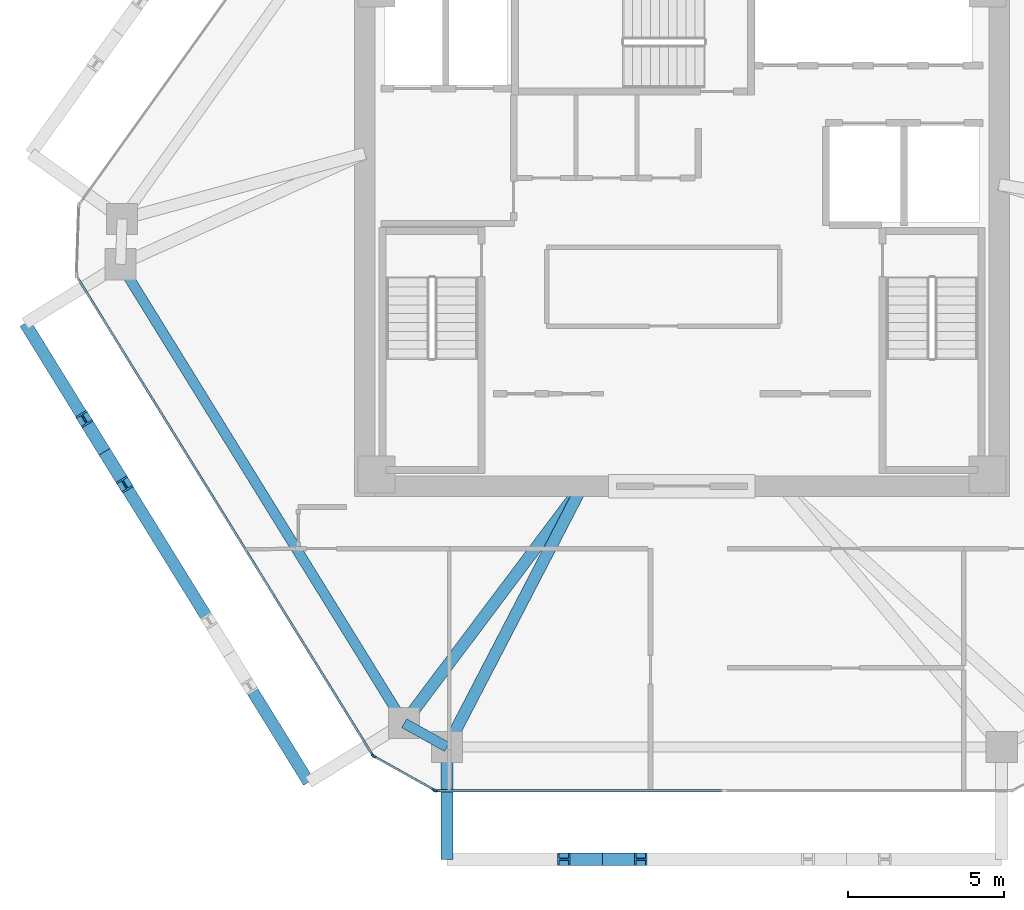
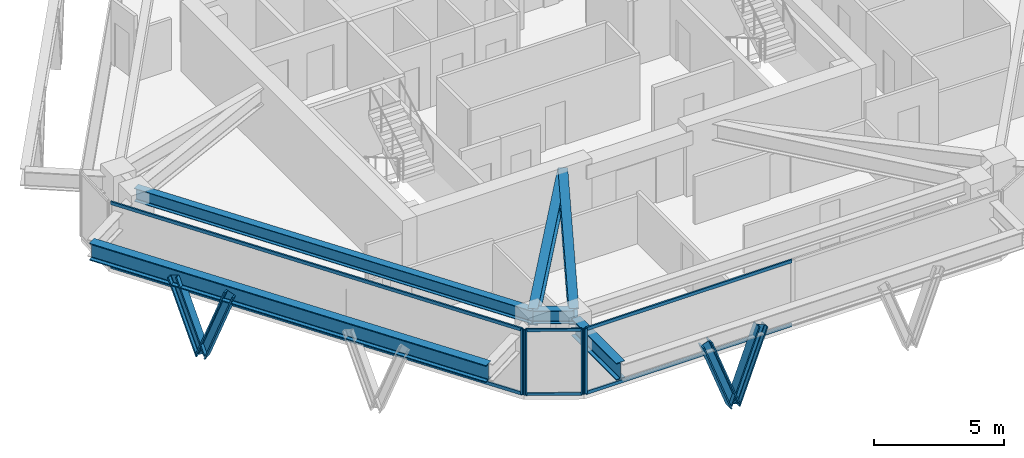
# One storey, part 2 of 11: 14 members, 6 beams, 3 elements without a shape of their own.
"""IFC4 building model written with IfcOpenShell, lengths in metres."""

import ifcopenshell
import ifcopenshell.guid

model = None  # the IFC model being written
_history = None  # IfcOwnerHistory: only IFC2X3 demands one
_inside = {}  # id of a spatial element -> (the spatial element, [elements in it])
_under = {}  # id of a project, library or spatial element -> (it, [spatial elements below it])
_declared = {}  # id of a project -> (the project, [libraries it declares])
_typed = {}  # id of a type object -> (the type object, [elements of that type])
_made_of = {}  # id of a material, layer set ... -> (it, [elements and type objects made of it])


def new_model(schema):
    """Start an empty IFC model of exactly this schema.

    Asked for "IFC4X3", IfcOpenShell would pick the latest addendum, in which some entities
    have other attributes; the version numbers below select the first issue.
    IFC2X3 requires an IfcOwnerHistory on every rooted entity: one is made here for all.
    """
    global model, _history
    if schema == "IFC4X3":
        model = ifcopenshell.file(schema_version=(4, 3, 0, 0))
    else:
        model = ifcopenshell.file(schema=schema)
    _inside.clear()
    _under.clear()
    _declared.clear()
    _typed.clear()
    _made_of.clear()
    _history = None
    if model.schema == "IFC2X3":
        org = make("IfcOrganization", Name="unknown")
        user = make(
            "IfcPersonAndOrganization",
            ThePerson=make("IfcPerson", FamilyName="unknown"),
            TheOrganization=org,
        )
        app = make(
            "IfcApplication",
            ApplicationDeveloper=org,
            Version="unknown",
            ApplicationFullName="unknown",
            ApplicationIdentifier="unknown",
        )
        _history = make(
            "IfcOwnerHistory",
            OwningUser=user,
            OwningApplication=app,
            ChangeAction="ADDED",
            CreationDate=0,
        )
    return model


def make(cls, **values):
    """One entity of the class cls with the attributes given. An attribute that is None is left unset."""
    return model.create_entity(
        cls, **{name: value for name, value in values.items() if value is not None}
    )


def rooted(cls, **values):
    """An entity with a GlobalId (a new one), such as an element, a storey or a relation."""
    return make(cls, GlobalId=ifcopenshell.guid.new(), OwnerHistory=_history, **values)


def si_unit(unit_type, name, prefix=None):
    """IfcSIUnit, for example si_unit("LENGTHUNIT", "METRE", prefix="MILLI")."""
    return make("IfcSIUnit", UnitType=unit_type, Prefix=prefix, Name=name)


def assignment(units):
    """IfcUnitAssignment: the units of a project."""
    return None if units is None else make("IfcUnitAssignment", Units=units)


def point(xyz):
    """IfcCartesianPoint."""
    return None if xyz is None else make("IfcCartesianPoint", Coordinates=xyz)


def direction(xyz):
    """IfcDirection."""
    return None if xyz is None else make("IfcDirection", DirectionRatios=xyz)


def frame(location, z_axis=None, x_axis=None):
    """IfcAxis2Placement3D, a coordinate frame: its origin and axes. An axis left out is left unset."""
    return make(
        "IfcAxis2Placement3D",
        Location=point(location),
        Axis=direction(z_axis),
        RefDirection=direction(x_axis),
    )


def frame_2d(location, x_axis=None):
    """IfcAxis2Placement2D, a coordinate frame in the plane: its origin and x axis."""
    return make(
        "IfcAxis2Placement2D", Location=point(location), RefDirection=direction(x_axis)
    )


def origin():
    """The frame at (0, 0, 0) with its axes left unset."""
    return frame((0.0, 0.0, 0.0))


def origin_2d():
    """The frame at (0, 0) in the plane with its x axis left unset."""
    return frame_2d((0.0, 0.0))


def place(relative_to, where):
    """IfcLocalPlacement: puts the frame where relative to a parent placement (None: the world)."""
    return make(
        "IfcLocalPlacement", PlacementRelTo=relative_to, RelativePlacement=where
    )


def context(
    kind, dimensions, precision=None, world=None, true_north=None, identifier=None
):
    """IfcGeometricRepresentationContext, for example the 3D "Model" context."""
    return make(
        "IfcGeometricRepresentationContext",
        ContextIdentifier=identifier,
        ContextType=kind,
        CoordinateSpaceDimension=dimensions,
        Precision=precision,
        WorldCoordinateSystem=world,
        TrueNorth=true_north,
    )


def subcontext(parent, identifier, kind, view, scale=None):
    """IfcGeometricRepresentationSubContext, for example "Body" below "Model"."""
    return make(
        "IfcGeometricRepresentationSubContext",
        ContextIdentifier=identifier,
        ContextType=kind,
        ParentContext=parent,
        TargetScale=scale,
        TargetView=view,
    )


def project(units=None, contexts=None):
    """IfcProject with its units and contexts."""
    return rooted(
        "IfcProject",
        Name="project",
        RepresentationContexts=contexts,
        UnitsInContext=assignment(units),
    )


def spatial(cls, under=None, at=None, **own):
    """A site, building, storey or space (cls), placed at a placement, below another one or the project."""
    s = rooted(cls, ObjectPlacement=at, **own)
    if under is not None:
        _under.setdefault(under.id(), (under, []))[1].append(s)
    return s


def profile(cls, at=None, kind="AREA", **sizes):
    """A parametric profile (cls). Its sizes go by their IFC names, for example OverallWidth=200.0."""
    return make(cls, ProfileType=kind, Position=at, **sizes)


def rectangle(**sizes):
    """IfcRectangleProfileDef."""
    return profile("IfcRectangleProfileDef", **sizes)


def i_section(**sizes):
    """IfcIShapeProfileDef."""
    return profile("IfcIShapeProfileDef", **sizes)


def extrude(swept, where, along, depth):
    """IfcExtrudedAreaSolid: the profile swept, set in the frame where, extruded along a direction by depth."""
    return make(
        "IfcExtrudedAreaSolid",
        SweptArea=swept,
        Position=where,
        ExtrudedDirection=direction(along),
        Depth=depth,
    )


def shape(context_of_items, identifier, shape_type, items):
    """IfcShapeRepresentation: the items that make up one representation, for example the "Body"."""
    return make(
        "IfcShapeRepresentation",
        ContextOfItems=context_of_items,
        RepresentationIdentifier=identifier,
        RepresentationType=shape_type,
        Items=items,
    )


def source(mapping_origin, context_of_items, identifier, shape_type, items):
    """IfcRepresentationMap: a shape defined once, which mapped items show again and again."""
    return make(
        "IfcRepresentationMap",
        MappingOrigin=mapping_origin,
        MappedRepresentation=shape(context_of_items, identifier, shape_type, items),
    )


def transform(
    local_origin,
    x_axis=None,
    y_axis=None,
    z_axis=None,
    scale=None,
    scale2=None,
    scale3=None,
    uniform=True,
):
    """IfcCartesianTransformationOperator3D, or its non-uniform kind. x_axis, y_axis, z_axis: its Axis1, 2, 3."""
    if uniform:
        return make(
            "IfcCartesianTransformationOperator3D",
            Axis1=direction(x_axis),
            Axis2=direction(y_axis),
            LocalOrigin=point(local_origin),
            Scale=scale,
            Axis3=direction(z_axis),
        )
    return make(
        "IfcCartesianTransformationOperator3DnonUniform",
        Axis1=direction(x_axis),
        Axis2=direction(y_axis),
        LocalOrigin=point(local_origin),
        Scale=scale,
        Axis3=direction(z_axis),
        Scale2=scale2,
        Scale3=scale3,
    )


def mapped(mapping_source, mapping_target):
    """IfcMappedItem: shows the shape of a source again, moved by a transform."""
    return make(
        "IfcMappedItem", MappingSource=mapping_source, MappingTarget=mapping_target
    )


def material(Name=None, Category=None):
    """IfcMaterial."""
    return make("IfcMaterial", Name=Name, Category=Category)


def layer(
    of_material, thickness, ventilated=None, Name=None, Category=None, Priority=None
):
    """IfcMaterialLayer: one layer of a wall or slab, of a material (None: an air gap)."""
    return make(
        "IfcMaterialLayer",
        Material=of_material,
        LayerThickness=thickness,
        IsVentilated=ventilated,
        Name=Name,
        Category=Category,
        Priority=Priority,
    )


def layer_set(layers, Name=None):
    """IfcMaterialLayerSet."""
    return make("IfcMaterialLayerSet", MaterialLayers=layers, LayerSetName=Name)


def material_profile(
    of_material, cross_section, Name=None, Category=None, Priority=None
):
    """IfcMaterialProfile: a cross section and its material."""
    return make(
        "IfcMaterialProfile",
        Name=Name,
        Material=of_material,
        Profile=cross_section,
        Priority=Priority,
        Category=Category,
    )


def profile_set(profiles, Name=None, composite=None):
    """IfcMaterialProfileSet."""
    return make(
        "IfcMaterialProfileSet",
        Name=Name,
        MaterialProfiles=profiles,
        CompositeProfile=composite,
    )


def made_of(thing, what):
    """Note that an element or type object is made of a material, layer set ...; save() writes the relation."""
    if what is not None:
        _made_of.setdefault(what.id(), (what, []))[1].append(thing)
    return thing


def type_object(cls, material=None, **own):
    """A type object (cls), such as IfcWallType, which elements share."""
    return made_of(rooted(cls, **own), material)


def type_shapes(of_type, sources):
    """Give a type object the sources (RepresentationMaps) that its elements show as mapped items."""
    of_type.RepresentationMaps = sources


def element(
    cls,
    number,
    at=None,
    inside=None,
    cuts=None,
    type_object=None,
    material=None,
    context=None,
    identifier="Body",
    shape_type=None,
    held_by="IfcProductDefinitionShape",
    body=None,
    shapes=None,
    **own,
):
    """One element of the class cls, such as IfcWall. Its Tag is "e" and its number.

    at: its placement. inside: the storey or other place that contains it. cuts: it is an
    opening in that element (IfcRelVoidsElement). A single representation is given by context,
    identifier, shape_type and body (its items); several are given by shapes. held_by: the class
    of the entity that holds the representations. save() writes the other relations.
    """
    e = rooted(cls, Tag="e%d" % number, ObjectPlacement=at, **own)
    if body is not None:
        shapes = [shape(context, identifier, shape_type, body)]
    if shapes is not None:
        e.Representation = make(held_by, Representations=shapes)
    if inside is not None:
        _inside.setdefault(inside.id(), (inside, []))[1].append(e)
    if cuts is not None:
        rooted(
            "IfcRelVoidsElement", RelatingBuildingElement=cuts, RelatedOpeningElement=e
        )
    if type_object is not None:
        _typed.setdefault(type_object.id(), (type_object, []))[1].append(e)
    return made_of(e, material)


def aggregate(whole, parts):
    """IfcRelAggregates: a whole, such as a stair, and the parts it consists of."""
    return rooted("IfcRelAggregates", RelatingObject=whole, RelatedObjects=parts)


def save(model, path):
    """Write the relations noted so far, then the file.

    IfcRelAggregates (storeys below a building ...), IfcRelContainedInSpatialStructure (elements
    in a storey), IfcRelDefinesByType, IfcRelAssociatesMaterial and IfcRelDeclares: one each for
    every whole, place, type object, material and project.
    """
    for whole, parts in _under.values():
        aggregate(whole, parts)
    for where, things in _inside.values():
        rooted(
            "IfcRelContainedInSpatialStructure",
            RelatedElements=things,
            RelatingStructure=where,
        )
    for kind, things in _typed.values():
        rooted("IfcRelDefinesByType", RelatedObjects=things, RelatingType=kind)
    for what, things in _made_of.values():
        rooted("IfcRelAssociatesMaterial", RelatedObjects=things, RelatingMaterial=what)
    for by, libraries in _declared.values():
        rooted("IfcRelDeclares", RelatingContext=by, RelatedDefinitions=libraries)
    model.write(path)


model = new_model("IFC4")

# Units and contexts
model_context = context("Model", 3, precision=1e-05, world=origin(), true_north=direction((0.0, 1.0)))
body_context = subcontext(model_context, "Body", "Model", "MODEL_VIEW")
ifc_project = project(units=[si_unit("LENGTHUNIT", "METRE"), si_unit("AREAUNIT", "SQUARE_METRE"), si_unit("VOLUMEUNIT", "CUBIC_METRE"), si_unit("PLANEANGLEUNIT", "RADIAN"), si_unit("MASSUNIT", "GRAM", prefix="KILO")], contexts=[model_context])

# Site, building, storey
site_placement = place(None, origin())
site = spatial("IfcSite", under=ifc_project, at=site_placement, CompositionType="ELEMENT")
building_placement = place(site_placement, origin())
building = spatial("IfcBuilding", under=site, at=building_placement, Name="Durnholm Broadcast Tower", CompositionType="ELEMENT")
storey_placement = place(building_placement, frame((0.0, 0.0, 190.300048828125)))
storey = spatial("IfcBuildingStorey", under=building, at=storey_placement, Name="L52", CompositionType="ELEMENT", Elevation=190.300048828125)

# Beams
ifc_material_1 = material(Name="Steel ASTM A992 Grade 50", Category="steel")
ifc_material_profile_1 = material_profile(ifc_material_1, i_section(OverallWidth=0.385009765625, OverallDepth=0.802978515625, WebThickness=0.023681640625, FlangeThickness=0.0419921875, FilletRadius=0.032958984375, at=origin_2d()), Name="W30X261")
ifc_profile_set_1 = profile_set([ifc_material_profile_1], Name="Steel ASTM A992 Grade 50")
beam_type_1 = type_object("IfcBeamType", Name="BM-EXO-TIE", PredefinedType="USERDEFINED", material=ifc_profile_set_1)
shared_shape_1 = source(origin(), body_context, "Body", "SweptSolid", [
    extrude(i_section(OverallWidth=0.385009765625, OverallDepth=0.802978515625, WebThickness=0.023681640625, FlangeThickness=0.0419921875, FilletRadius=0.032958984375, at=origin_2d()), origin(), (0.0, 0.0, 1.0), 3.4560546875),
])
beam_1_placement = place(storey_placement, frame((-7.53955078125, -16.68603515625, 2.30859375), z_axis=(0.0, -1.0, 0.0), x_axis=(1.0, 0.0, 0.0)))
element("IfcBeam", 1, at=beam_1_placement, inside=storey, type_object=beam_type_1, Name="L52 exoskeleton stand-off tie bracket F1.1", ObjectType="GIRDER", PredefinedType="USERDEFINED", context=body_context, shape_type="MappedRepresentation", body=[
    mapped(shared_shape_1, transform((0.0, 0.0, 0.0), x_axis=(1.0, 0.0, 0.0), y_axis=(0.0, 1.0, 0.0), z_axis=(0.0, 0.0, 1.0), scale=1.0)),
])
ifc_material_profile_2 = material_profile(ifc_material_1, i_section(OverallWidth=0.3251953125, OverallDepth=0.6162109375, WebThickness=0.013916015625, FlangeThickness=0.021484375, FilletRadius=0.02783203125, at=origin_2d()), Name="W24X117")
ifc_profile_set_2 = profile_set([ifc_material_profile_2], Name="Steel ASTM A992 Grade 50")
beam_type_2 = type_object("IfcBeamType", Name="STL-SP-W24X117", PredefinedType="SPANDREL", material=ifc_profile_set_2)
shared_shape_2 = source(origin(), body_context, "Body", "SweptSolid", [
    extrude(i_section(OverallWidth=0.3251953125, OverallDepth=0.6162109375, WebThickness=0.013916015625, FlangeThickness=0.021484375, FilletRadius=0.02783203125, at=origin_2d()), origin(), (0.0, 0.0, 1.0), 17.3037109375),
])
beam_2_placement = place(storey_placement, frame((-8.91259765625, -15.7763671875, 2.73681640625), z_axis=(-0.525695324718, 0.850672925142, 0.0), x_axis=(-0.850672925142, -0.525695324718, 0.0)))
element("IfcBeam", 2, at=beam_2_placement, inside=storey, type_object=beam_type_2, Name="L52 perimeter spandrel girder 01", PredefinedType="SPANDREL", context=body_context, shape_type="MappedRepresentation", body=[
    mapped(shared_shape_2, transform((0.0, 0.0, 0.0), x_axis=(1.0, 0.0, 0.0), y_axis=(0.0, 1.0, 0.0), z_axis=(0.0, 0.0, 1.0), scale=1.0)),
])
shared_shape_3 = source(origin(), body_context, "Body", "SweptSolid", [
    extrude(i_section(OverallWidth=0.3251953125, OverallDepth=0.6162109375, WebThickness=0.013916015625, FlangeThickness=0.021484375, FilletRadius=0.02783203125, at=origin_2d()), origin(), (0.0, 0.0, 1.0), 1.572021484375),
])
type_shapes(beam_type_2, [shared_shape_2, shared_shape_3])
beam_3_placement = place(storey_placement, frame((-7.53955078125, -16.5419921875, 2.73681640625), z_axis=(-0.873394362663, 0.487013641769, 0.0), x_axis=(-0.487013641769, -0.873394362663, 0.0)))
element("IfcBeam", 3, at=beam_3_placement, inside=storey, type_object=beam_type_2, Name="L52 perimeter spandrel girder 12", PredefinedType="SPANDREL", context=body_context, shape_type="MappedRepresentation", body=[
    mapped(shared_shape_3, transform((0.0, 0.0, 0.0), x_axis=(1.0, 0.0, 0.0), y_axis=(0.0, 1.0, 0.0), z_axis=(0.0, 0.0, 1.0), scale=1.0)),
])
shared_shape_4 = source(origin(), body_context, "Body", "SweptSolid", [
    extrude(i_section(OverallWidth=0.385009765625, OverallDepth=0.802978515625, WebThickness=0.023681640625, FlangeThickness=0.0419921875, FilletRadius=0.032958984375, at=origin_2d()), origin(), (0.0, 0.0, 1.0), 17.303466796875),
])
type_shapes(beam_type_1, [shared_shape_1, shared_shape_4])
beam_4_placement = place(storey_placement, frame((-21.071533203125, -2.94921875, 2.30859375), z_axis=(0.525701634347, -0.850669025911, 0.0), x_axis=(0.850669025911, 0.525701634347, 0.0)))
element("IfcBeam", 4, at=beam_4_placement, inside=storey, type_object=beam_type_1, Name="L52 exoskeleton collector spandrel F6", PredefinedType="SPANDREL", context=body_context, shape_type="MappedRepresentation", body=[
    mapped(shared_shape_4, transform((0.0, 0.0, 0.0), x_axis=(1.0, 0.0, 0.0), y_axis=(0.0, 1.0, 0.0), z_axis=(0.0, 0.0, 1.0), scale=1.0)),
])
ifc_material_profile_3 = material_profile(ifc_material_1, i_section(OverallWidth=0.380615234375, OverallDepth=0.773193359375, WebThickness=0.0166015625, FlangeThickness=0.027099609375, FilletRadius=0.032958984375, at=origin_2d()), Name="W30X173")
ifc_profile_set_3 = profile_set([ifc_material_profile_3], Name="Steel ASTM A992 Grade 50")
beam_type_3 = type_object("IfcBeamType", Name="STL-GR-W30X173", PredefinedType="USERDEFINED", material=ifc_profile_set_3)
shared_shape_5 = source(origin(), body_context, "Body", "SweptSolid", [
    extrude(i_section(OverallWidth=0.380615234375, OverallDepth=0.773193359375, WebThickness=0.0166015625, FlangeThickness=0.027099609375, FilletRadius=0.032958984375, at=origin_2d()), origin(), (0.0, 0.0, 1.0), 9.508544921875),
])
beam_5_placement = place(storey_placement, frame((-3.199951171875, -8.175048828125, 2.658447265625), z_axis=(-0.600784359039, -0.799411129479, 0.0), x_axis=(0.799411129479, -0.600784359039, 0.0)))
element("IfcBeam", 5, at=beam_5_placement, inside=storey, type_object=beam_type_3, Name="L52 radial primary floor girder 01", ObjectType="GIRDER", PredefinedType="USERDEFINED", context=body_context, shape_type="MappedRepresentation", body=[
    mapped(shared_shape_5, transform((0.0, 0.0, 0.0), x_axis=(1.0, 0.0, 0.0), y_axis=(0.0, 1.0, 0.0), z_axis=(0.0, 0.0, 1.0), scale=1.0)),
])
shared_shape_6 = source(origin(), body_context, "Body", "SweptSolid", [
    extrude(i_section(OverallWidth=0.380615234375, OverallDepth=0.773193359375, WebThickness=0.0166015625, FlangeThickness=0.027099609375, FilletRadius=0.032958984375, at=origin_2d()), origin(), (0.0, 0.0, 1.0), 9.42529296875),
])
type_shapes(beam_type_3, [shared_shape_5, shared_shape_6])
beam_6_placement = place(storey_placement, frame((-3.199951171875, -8.175048828125, 2.658447265625), z_axis=(-0.460416206992, -0.887703169048, 0.0), x_axis=(0.887703169048, -0.460416206992, 0.0)))
element("IfcBeam", 6, at=beam_6_placement, inside=storey, type_object=beam_type_3, Name="L52 radial primary floor girder 12", ObjectType="GIRDER", PredefinedType="USERDEFINED", context=body_context, shape_type="MappedRepresentation", body=[
    mapped(shared_shape_6, transform((0.0, 0.0, 0.0), x_axis=(1.0, 0.0, 0.0), y_axis=(0.0, 1.0, 0.0), z_axis=(0.0, 0.0, 1.0), scale=1.0)),
])

# Members
ifc_material_2 = material(Name="Steel ASTM A913 Grade 65", Category="steel")
ifc_material_profile_4 = material_profile(ifc_material_2, i_section(OverallWidth=0.412109375, OverallDepth=0.434814453125, WebThickness=0.035888671875, FlangeThickness=0.057373046875, FilletRadius=0.030517578125, at=origin_2d()), Name="W14X311")
ifc_profile_set_4 = profile_set([ifc_material_profile_4], Name="Steel ASTM A913 Grade 65")
member_type_1 = type_object("IfcMemberType", Name="STL-DG-W14X311", PredefinedType="BRACE", material=ifc_profile_set_4)
shared_shape_7 = source(origin(), body_context, "Body", "SweptSolid", [
    extrude(i_section(OverallWidth=0.412109375, OverallDepth=0.434814453125, WebThickness=0.035888671875, FlangeThickness=0.057373046875, FilletRadius=0.030517578125, at=origin_2d()), origin(), (0.0, 0.0, 1.0), 3.523193359375),
])
type_shapes(member_type_1, [shared_shape_7])
for number, where, z_axis, x_axis, name in (
    (7, (-2.556640625, -20.14208984375, -0.991455078125), (-0.350158790071, 0.0, 0.936690355313), (0.0, -1.0, 0.0), "L52 stand-off diagrid brace F1.D1.1"),
    (8, (-2.556640625, -20.14208984375, -0.991455078125), (0.350219588454, 0.0, 0.936667625075), (0.0, 1.0, 0.0), "L52 stand-off diagrid brace F1.D1.2"),
    (9, (-18.5244140625, -7.07080078125, -0.991455078125), (-0.18411903749, 0.297902800967, 0.936671821509), (-0.850644447398, -0.525741404219, 0.0), "L52 stand-off diagrid brace F6.D1.1"),
    (10, (-18.5244140625, -7.07080078125, -0.991455078125), (0.184052089489, -0.297906601172, 0.936683770188), (0.850732935913, 0.525598203719, 0.0), "L52 stand-off diagrid brace F6.D1.2"),
):
    element("IfcMember", number, at=place(storey_placement, frame(where, z_axis=z_axis, x_axis=x_axis)), inside=storey, type_object=member_type_1, Name=name, PredefinedType="BRACE", context=body_context, shape_type="MappedRepresentation", body=[
        mapped(shared_shape_7, transform((0.0, 0.0, 0.0), x_axis=(1.0, 0.0, 0.0), y_axis=(0.0, 1.0, 0.0), z_axis=(0.0, 0.0, 1.0), scale=1.0)),
    ])

# Curtain wall, members
ifc_material_3 = material(Name="Aluminium and Solar Control IGU", Category="aluminium")
ifc_layer_1 = layer(ifc_material_3, 0.1650390625)
ifc_layer_set_1 = layer_set([ifc_layer_1], Name="Aluminium and Solar Control IGU")
curtain_wall_type_1 = type_object("IfcCurtainWallType", Name="CW-SYS-5", PredefinedType="NOTDEFINED", material=ifc_layer_set_1)
curtain_wall_1_placement = place(storey_placement, origin())
curtain_wall_1 = element("IfcCurtainWall", 11, at=curtain_wall_1_placement, inside=storey, type_object=curtain_wall_type_1, Name="L52 curtain wall CW-CORNER CW-L52-CRN-11", PredefinedType="NOTDEFINED")
ifc_material_4 = material(Name="Aluminium 6063-T6", Category="aluminium")
ifc_material_profile_5 = material_profile(ifc_material_4, rectangle(XDim=0.06494140625, YDim=0.1650390625, at=origin_2d()), Name="CWM65X165")
ifc_profile_set_5 = profile_set([ifc_material_profile_5], Name="Aluminium 6063-T6")
member_type_2 = type_object("IfcMemberType", Name="CW-SYS-5-MUL", PredefinedType="MULLION", material=ifc_profile_set_5)
shared_shape_8 = source(origin(), body_context, "Body", "SweptSolid", [
    extrude(rectangle(XDim=0.06494140625, YDim=0.1650390625, at=origin_2d()), origin(), (0.0, 0.0, 1.0), 3.06005859375),
])
type_shapes(member_type_2, [shared_shape_8])
member_1_placement = place(storey_placement, frame((-7.931884765625, -17.92626953125, 0.0), z_axis=(0.0, 0.0, 1.0), x_axis=(-0.486986043316, -0.873409751271, 0.0)))
member_1 = element("IfcMember", 12, at=member_1_placement, type_object=member_type_2, Name="CW-CORNER mullion 1", PredefinedType="MULLION", context=body_context, shape_type="MappedRepresentation", body=[
    mapped(shared_shape_8, transform((0.0, 0.0, 0.0), x_axis=(1.0, 0.0, 0.0), y_axis=(0.0, 1.0, 0.0), z_axis=(0.0, 0.0, 1.0), scale=1.0)),
])
member_2_placement = place(storey_placement, frame((-9.884033203125, -16.837646484375, 0.0), z_axis=(0.0, 0.0, 1.0), x_axis=(-0.486986043316, -0.873409751271, 0.0)))
member_2 = element("IfcMember", 13, at=member_2_placement, type_object=member_type_2, Name="CW-CORNER mullion 2", PredefinedType="MULLION", context=body_context, shape_type="MappedRepresentation", body=[
    mapped(shared_shape_8, transform((0.0, 0.0, 0.0), x_axis=(1.0, 0.0, 0.0), y_axis=(0.0, 1.0, 0.0), z_axis=(0.0, 0.0, 1.0), scale=1.0)),
])
ifc_material_profile_6 = material_profile(ifc_material_4, rectangle(XDim=0.06494140625, YDim=0.1298828125, at=origin_2d()), Name="CWT65X130")
ifc_profile_set_6 = profile_set([ifc_material_profile_6], Name="Aluminium 6063-T6")
member_type_3 = type_object("IfcMemberType", Name="CW-SYS-5-TRN", PredefinedType="USERDEFINED", material=ifc_profile_set_6)
shared_shape_9 = source(origin(), body_context, "Body", "SweptSolid", [
    extrude(rectangle(XDim=0.06494140625, YDim=0.1298828125, at=origin_2d()), origin(), (0.0, 0.0, 1.0), 2.169921875),
])
type_shapes(member_type_3, [shared_shape_9])
member_3_placement = place(storey_placement, frame((-7.960205078125, -17.910400390625, 0.032470703125), z_axis=(-0.873381360539, 0.487036958621, 0.0), x_axis=(-0.487036958621, -0.873381360539, 0.0)))
member_3 = element("IfcMember", 14, at=member_3_placement, type_object=member_type_3, Name="CW-CORNER transom 1.1", ObjectType="TRANSOM", PredefinedType="USERDEFINED", context=body_context, shape_type="MappedRepresentation", body=[
    mapped(shared_shape_9, transform((0.0, 0.0, 0.0), x_axis=(1.0, 0.0, 0.0), y_axis=(0.0, 1.0, 0.0), z_axis=(0.0, 0.0, 1.0), scale=1.0)),
])
member_4_placement = place(storey_placement, frame((-7.960205078125, -17.910400390625, 3.02734375), z_axis=(-0.873381360539, 0.487036958621, 0.0), x_axis=(-0.487036958621, -0.873381360539, 0.0)))
member_4 = element("IfcMember", 15, at=member_4_placement, type_object=member_type_3, Name="CW-CORNER transom 1.2", ObjectType="TRANSOM", PredefinedType="USERDEFINED", context=body_context, shape_type="MappedRepresentation", body=[
    mapped(shared_shape_9, transform((0.0, 0.0, 0.0), x_axis=(1.0, 0.0, 0.0), y_axis=(0.0, 1.0, 0.0), z_axis=(0.0, 0.0, 1.0), scale=1.0)),
])
aggregate(curtain_wall_1, [member_1, member_2, member_3, member_4])

ifc_layer_2 = layer(ifc_material_3, 0.18994140625)
ifc_layer_set_2 = layer_set([ifc_layer_2], Name="Aluminium and Solar Control IGU")
curtain_wall_type_2 = type_object("IfcCurtainWallType", Name="CW-SYS-4", PredefinedType="NOTDEFINED", material=ifc_layer_set_2)
curtain_wall_2_placement = place(storey_placement, origin())
curtain_wall_2 = element("IfcCurtainWall", 16, at=curtain_wall_2_placement, inside=storey, type_object=curtain_wall_type_2, Name="L52 curtain wall CW-Z34-VIS CW-L52-F10", PredefinedType="NOTDEFINED")
ifc_material_profile_7 = material_profile(ifc_material_4, rectangle(XDim=0.070068359375, YDim=0.14990234375, at=origin_2d()), Name="CWT70X150")
ifc_profile_set_7 = profile_set([ifc_material_profile_7], Name="Aluminium 6063-T6")
member_type_4 = type_object("IfcMemberType", Name="CW-SYS-4-TRN", PredefinedType="USERDEFINED", material=ifc_profile_set_7)
shared_shape_10 = source(origin(), body_context, "Body", "SweptSolid", [
    extrude(rectangle(XDim=0.070068359375, YDim=0.14990234375, at=origin_2d()), origin(), (0.0, 0.0, 1.0), 9.14453125),
])
member_5_placement = place(storey_placement, frame((1.31103515625, -17.94189453125, 0.034912109375), z_axis=(-1.0, 0.0, 0.0), x_axis=(0.0, -1.0, 0.0)))
member_5 = element("IfcMember", 17, at=member_5_placement, type_object=member_type_4, Name="CW-Z34-VIS transom 2.1", ObjectType="TRANSOM", PredefinedType="USERDEFINED", context=body_context, shape_type="MappedRepresentation", body=[
    mapped(shared_shape_10, transform((0.0, 0.0, 0.0), x_axis=(1.0, 0.0, 0.0), y_axis=(0.0, 1.0, 0.0), z_axis=(0.0, 0.0, 1.0), scale=1.0)),
])
member_6_placement = place(storey_placement, frame((1.31103515625, -17.94189453125, 3.02490234375), z_axis=(-1.0, 0.0, 0.0), x_axis=(0.0, -1.0, 0.0)))
member_6 = element("IfcMember", 18, at=member_6_placement, type_object=member_type_4, Name="CW-Z34-VIS transom 2.2", ObjectType="TRANSOM", PredefinedType="USERDEFINED", context=body_context, shape_type="MappedRepresentation", body=[
    mapped(shared_shape_10, transform((0.0, 0.0, 0.0), x_axis=(1.0, 0.0, 0.0), y_axis=(0.0, 1.0, 0.0), z_axis=(0.0, 0.0, 1.0), scale=1.0)),
])

curtain_wall_3_placement = place(storey_placement, origin())
curtain_wall_3 = element("IfcCurtainWall", 19, at=curtain_wall_3_placement, inside=storey, type_object=curtain_wall_type_2, Name="L52 curtain wall CW-Z34-VIS CW-L52-F12", PredefinedType="NOTDEFINED")
shared_shape_11 = source(origin(), body_context, "Body", "SweptSolid", [
    extrude(rectangle(XDim=0.070068359375, YDim=0.14990234375, at=origin_2d()), origin(), (0.0, 0.0, 1.0), 17.951171875),
])
type_shapes(member_type_4, [shared_shape_10, shared_shape_11])
member_7_placement = place(storey_placement, frame((-9.94921875, -16.762451171875, 0.034912109375), z_axis=(-0.525693813807, 0.850673858847, 0.0), x_axis=(-0.850673858847, -0.525693813807, 0.0)))
member_7 = element("IfcMember", 20, at=member_7_placement, type_object=member_type_4, Name="CW-Z34-VIS transom 1.1", ObjectType="TRANSOM", PredefinedType="USERDEFINED", context=body_context, shape_type="MappedRepresentation", body=[
    mapped(shared_shape_11, transform((0.0, 0.0, 0.0), x_axis=(1.0, 0.0, 0.0), y_axis=(0.0, 1.0, 0.0), z_axis=(0.0, 0.0, 1.0), scale=1.0)),
])
member_8_placement = place(storey_placement, frame((-9.94921875, -16.762451171875, 3.02490234375), z_axis=(-0.525693813807, 0.850673858847, 0.0), x_axis=(-0.850673858847, -0.525693813807, 0.0)))
member_8 = element("IfcMember", 21, at=member_8_placement, type_object=member_type_4, Name="CW-Z34-VIS transom 1.2", ObjectType="TRANSOM", PredefinedType="USERDEFINED", context=body_context, shape_type="MappedRepresentation", body=[
    mapped(shared_shape_11, transform((0.0, 0.0, 0.0), x_axis=(1.0, 0.0, 0.0), y_axis=(0.0, 1.0, 0.0), z_axis=(0.0, 0.0, 1.0), scale=1.0)),
])

# Member
ifc_material_profile_8 = material_profile(ifc_material_4, rectangle(XDim=0.070068359375, YDim=0.18994140625, at=origin_2d()), Name="CWM70X190")
ifc_profile_set_8 = profile_set([ifc_material_profile_8], Name="Aluminium 6063-T6")
member_type_5 = type_object("IfcMemberType", Name="CW-SYS-4-MUL", PredefinedType="MULLION", material=ifc_profile_set_8)
shared_shape_12 = source(origin(), body_context, "Body", "SweptSolid", [
    extrude(rectangle(XDim=0.070068359375, YDim=0.18994140625, at=origin_2d()), origin(), (0.0, 0.0, 1.0), 3.06005859375),
])
type_shapes(member_type_5, [shared_shape_12])
member_9_placement = place(storey_placement, frame((-7.868408203125, -17.94189453125, 0.0), z_axis=(0.0, 0.0, 1.0), x_axis=(0.0, -1.0, 0.0)))
member_9 = element("IfcMember", 22, at=member_9_placement, type_object=member_type_5, Name="CW-Z34-VIS mullion 3", PredefinedType="MULLION", context=body_context, shape_type="MappedRepresentation", body=[
    mapped(shared_shape_12, transform((0.0, 0.0, 0.0), x_axis=(1.0, 0.0, 0.0), y_axis=(0.0, 1.0, 0.0), z_axis=(0.0, 0.0, 1.0), scale=1.0)),
])

aggregate(curtain_wall_2, [member_9, member_5, member_6])

member_10_placement = place(storey_placement, frame((-9.9306640625, -16.792236328125, 0.0), z_axis=(0.0, 0.0, 1.0), x_axis=(-0.850671426092, -0.525697750452, 0.0)))
member_10 = element("IfcMember", 23, at=member_10_placement, type_object=member_type_5, Name="CW-Z34-VIS mullion 1", PredefinedType="MULLION", context=body_context, shape_type="MappedRepresentation", body=[
    mapped(shared_shape_12, transform((0.0, 0.0, 0.0), x_axis=(1.0, 0.0, 0.0), y_axis=(0.0, 1.0, 0.0), z_axis=(0.0, 0.0, 1.0), scale=1.0)),
])

aggregate(curtain_wall_3, [member_10, member_7, member_8])

save(model, "model.ifc")
